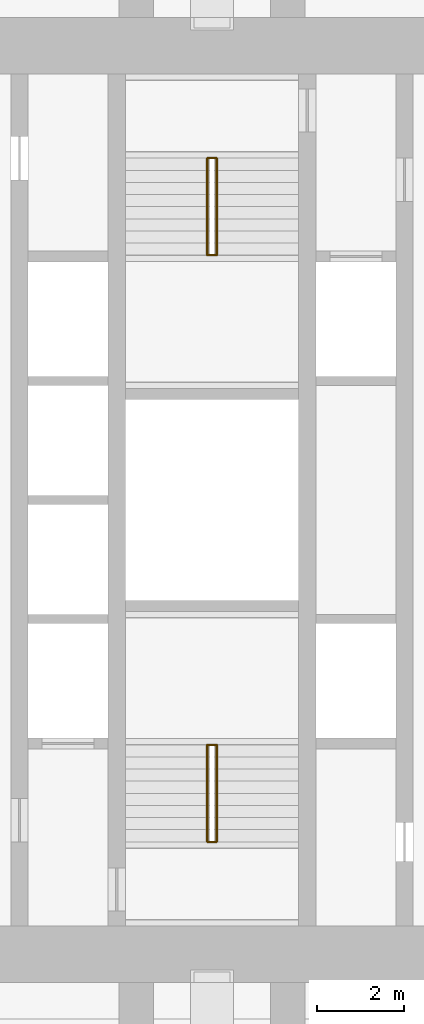
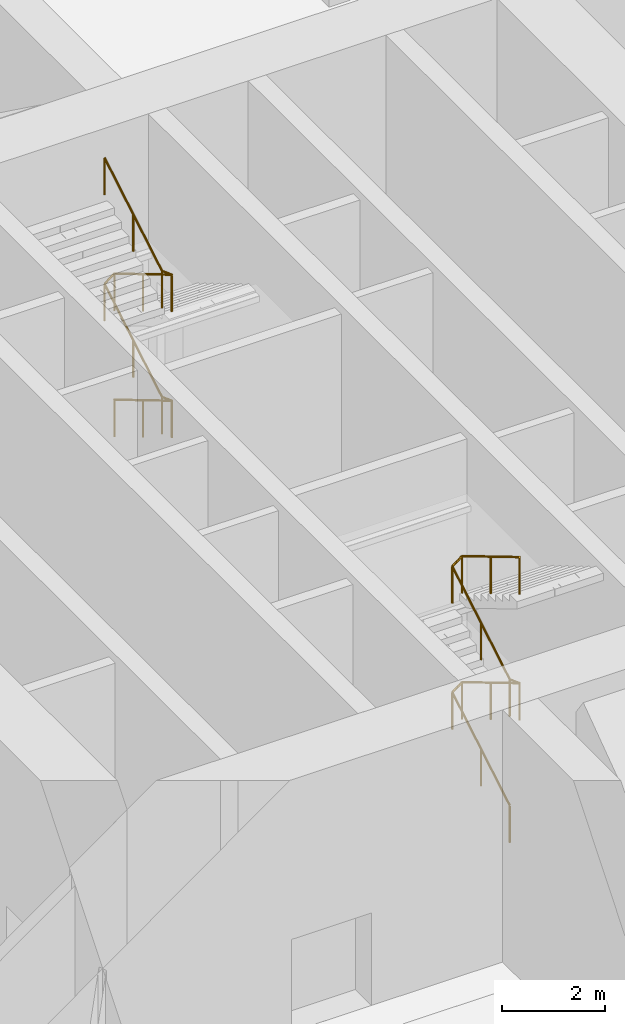
# One storey, part 20 of 20: 2 railings.
"""IFC4 building model written with IfcOpenShell, lengths in metres."""

import ifcopenshell
import ifcopenshell.guid

model = None  # the IFC model being written
_history = None  # IfcOwnerHistory: only IFC2X3 demands one
_inside = {}  # id of a spatial element -> (the spatial element, [elements in it])
_under = {}  # id of a project, library or spatial element -> (it, [spatial elements below it])
_declared = {}  # id of a project -> (the project, [libraries it declares])
_typed = {}  # id of a type object -> (the type object, [elements of that type])
_made_of = {}  # id of a material, layer set ... -> (it, [elements and type objects made of it])


def new_model(schema):
    """Start an empty IFC model of exactly this schema.

    Asked for "IFC4X3", IfcOpenShell would pick the latest addendum, in which some entities
    have other attributes; the version numbers below select the first issue.
    IFC2X3 requires an IfcOwnerHistory on every rooted entity: one is made here for all.
    """
    global model, _history
    if schema == "IFC4X3":
        model = ifcopenshell.file(schema_version=(4, 3, 0, 0))
    else:
        model = ifcopenshell.file(schema=schema)
    _inside.clear()
    _under.clear()
    _declared.clear()
    _typed.clear()
    _made_of.clear()
    _history = None
    if model.schema == "IFC2X3":
        org = make("IfcOrganization", Name="unknown")
        user = make(
            "IfcPersonAndOrganization",
            ThePerson=make("IfcPerson", FamilyName="unknown"),
            TheOrganization=org,
        )
        app = make(
            "IfcApplication",
            ApplicationDeveloper=org,
            Version="unknown",
            ApplicationFullName="unknown",
            ApplicationIdentifier="unknown",
        )
        _history = make(
            "IfcOwnerHistory",
            OwningUser=user,
            OwningApplication=app,
            ChangeAction="ADDED",
            CreationDate=0,
        )
    return model


def make(cls, **values):
    """One entity of the class cls with the attributes given. An attribute that is None is left unset."""
    return model.create_entity(
        cls, **{name: value for name, value in values.items() if value is not None}
    )


def rooted(cls, **values):
    """An entity with a GlobalId (a new one), such as an element, a storey or a relation."""
    return make(cls, GlobalId=ifcopenshell.guid.new(), OwnerHistory=_history, **values)


def si_unit(unit_type, name, prefix=None):
    """IfcSIUnit, for example si_unit("LENGTHUNIT", "METRE", prefix="MILLI")."""
    return make("IfcSIUnit", UnitType=unit_type, Prefix=prefix, Name=name)


def assignment(units):
    """IfcUnitAssignment: the units of a project."""
    return None if units is None else make("IfcUnitAssignment", Units=units)


def point(xyz):
    """IfcCartesianPoint."""
    return None if xyz is None else make("IfcCartesianPoint", Coordinates=xyz)


def direction(xyz):
    """IfcDirection."""
    return None if xyz is None else make("IfcDirection", DirectionRatios=xyz)


def frame(location, z_axis=None, x_axis=None):
    """IfcAxis2Placement3D, a coordinate frame: its origin and axes. An axis left out is left unset."""
    return make(
        "IfcAxis2Placement3D",
        Location=point(location),
        Axis=direction(z_axis),
        RefDirection=direction(x_axis),
    )


def frame_2d(location, x_axis=None):
    """IfcAxis2Placement2D, a coordinate frame in the plane: its origin and x axis."""
    return make(
        "IfcAxis2Placement2D", Location=point(location), RefDirection=direction(x_axis)
    )


def origin():
    """The frame at (0, 0, 0) with its axes left unset."""
    return frame((0.0, 0.0, 0.0))


def origin_2d():
    """The frame at (0, 0) in the plane with its x axis left unset."""
    return frame_2d((0.0, 0.0))


def place(relative_to, where):
    """IfcLocalPlacement: puts the frame where relative to a parent placement (None: the world)."""
    return make(
        "IfcLocalPlacement", PlacementRelTo=relative_to, RelativePlacement=where
    )


def context(
    kind, dimensions, precision=None, world=None, true_north=None, identifier=None
):
    """IfcGeometricRepresentationContext, for example the 3D "Model" context."""
    return make(
        "IfcGeometricRepresentationContext",
        ContextIdentifier=identifier,
        ContextType=kind,
        CoordinateSpaceDimension=dimensions,
        Precision=precision,
        WorldCoordinateSystem=world,
        TrueNorth=true_north,
    )


def subcontext(parent, identifier, kind, view, scale=None):
    """IfcGeometricRepresentationSubContext, for example "Body" below "Model"."""
    return make(
        "IfcGeometricRepresentationSubContext",
        ContextIdentifier=identifier,
        ContextType=kind,
        ParentContext=parent,
        TargetScale=scale,
        TargetView=view,
    )


def project(units=None, contexts=None):
    """IfcProject with its units and contexts."""
    return rooted(
        "IfcProject",
        Name="project",
        RepresentationContexts=contexts,
        UnitsInContext=assignment(units),
    )


def spatial(cls, under=None, at=None, **own):
    """A site, building, storey or space (cls), placed at a placement, below another one or the project."""
    s = rooted(cls, ObjectPlacement=at, **own)
    if under is not None:
        _under.setdefault(under.id(), (under, []))[1].append(s)
    return s


def profile(cls, at=None, kind="AREA", **sizes):
    """A parametric profile (cls). Its sizes go by their IFC names, for example OverallWidth=200.0."""
    return make(cls, ProfileType=kind, Position=at, **sizes)


def circle(**sizes):
    """IfcCircleProfileDef."""
    return profile("IfcCircleProfileDef", **sizes)


def extrude(swept, where, along, depth):
    """IfcExtrudedAreaSolid: the profile swept, set in the frame where, extruded along a direction by depth."""
    return make(
        "IfcExtrudedAreaSolid",
        SweptArea=swept,
        Position=where,
        ExtrudedDirection=direction(along),
        Depth=depth,
    )


def shape(context_of_items, identifier, shape_type, items):
    """IfcShapeRepresentation: the items that make up one representation, for example the "Body"."""
    return make(
        "IfcShapeRepresentation",
        ContextOfItems=context_of_items,
        RepresentationIdentifier=identifier,
        RepresentationType=shape_type,
        Items=items,
    )


def material(Name=None, Category=None):
    """IfcMaterial."""
    return make("IfcMaterial", Name=Name, Category=Category)


def made_of(thing, what):
    """Note that an element or type object is made of a material, layer set ...; save() writes the relation."""
    if what is not None:
        _made_of.setdefault(what.id(), (what, []))[1].append(thing)
    return thing


def type_object(cls, material=None, **own):
    """A type object (cls), such as IfcWallType, which elements share."""
    return made_of(rooted(cls, **own), material)


def element(
    cls,
    number,
    at=None,
    inside=None,
    cuts=None,
    type_object=None,
    material=None,
    context=None,
    identifier="Body",
    shape_type=None,
    held_by="IfcProductDefinitionShape",
    body=None,
    shapes=None,
    **own,
):
    """One element of the class cls, such as IfcWall. Its Tag is "e" and its number.

    at: its placement. inside: the storey or other place that contains it. cuts: it is an
    opening in that element (IfcRelVoidsElement). A single representation is given by context,
    identifier, shape_type and body (its items); several are given by shapes. held_by: the class
    of the entity that holds the representations. save() writes the other relations.
    """
    e = rooted(cls, Tag="e%d" % number, ObjectPlacement=at, **own)
    if body is not None:
        shapes = [shape(context, identifier, shape_type, body)]
    if shapes is not None:
        e.Representation = make(held_by, Representations=shapes)
    if inside is not None:
        _inside.setdefault(inside.id(), (inside, []))[1].append(e)
    if cuts is not None:
        rooted(
            "IfcRelVoidsElement", RelatingBuildingElement=cuts, RelatedOpeningElement=e
        )
    if type_object is not None:
        _typed.setdefault(type_object.id(), (type_object, []))[1].append(e)
    return made_of(e, material)


def aggregate(whole, parts):
    """IfcRelAggregates: a whole, such as a stair, and the parts it consists of."""
    return rooted("IfcRelAggregates", RelatingObject=whole, RelatedObjects=parts)


def save(model, path):
    """Write the relations noted so far, then the file.

    IfcRelAggregates (storeys below a building ...), IfcRelContainedInSpatialStructure (elements
    in a storey), IfcRelDefinesByType, IfcRelAssociatesMaterial and IfcRelDeclares: one each for
    every whole, place, type object, material and project.
    """
    for whole, parts in _under.values():
        aggregate(whole, parts)
    for where, things in _inside.values():
        rooted(
            "IfcRelContainedInSpatialStructure",
            RelatedElements=things,
            RelatingStructure=where,
        )
    for kind, things in _typed.values():
        rooted("IfcRelDefinesByType", RelatedObjects=things, RelatingType=kind)
    for what, things in _made_of.values():
        rooted("IfcRelAssociatesMaterial", RelatedObjects=things, RelatingMaterial=what)
    for by, libraries in _declared.values():
        rooted("IfcRelDeclares", RelatingContext=by, RelatedDefinitions=libraries)
    model.write(path)


model = new_model("IFC4")

# Units and contexts
model_context = context("Model", 3, precision=1e-05, world=origin(), true_north=direction((0.0, 1.0)))
body_context = subcontext(model_context, "Body", "Model", "MODEL_VIEW")
ifc_project = project(units=[si_unit("LENGTHUNIT", "METRE"), si_unit("AREAUNIT", "SQUARE_METRE"), si_unit("VOLUMEUNIT", "CUBIC_METRE"), si_unit("PLANEANGLEUNIT", "RADIAN"), si_unit("MASSUNIT", "GRAM", prefix="KILO")], contexts=[model_context])

# Site, building, storey
site_placement = place(None, origin())
site = spatial("IfcSite", under=ifc_project, at=site_placement, CompositionType="ELEMENT")
building_placement = place(site_placement, origin())
building = spatial("IfcBuilding", under=site, at=building_placement, Name="Mizan Broadcast Tower", CompositionType="ELEMENT")
storey_placement = place(building_placement, frame((0.0, 0.0, 118.199951171875)))
storey = spatial("IfcBuildingStorey", under=building, at=storey_placement, Name="L26", CompositionType="ELEMENT", Elevation=118.199951171875)

# Railings
ifc_material = material(Name="Stainless steel", Category="steel")
railing_type = type_object("IfcRailingType", Name="HANDRAIL 50", PredefinedType="HANDRAIL", material=ifc_material)
railing_1_placement = place(storey_placement, frame((-0.110107421875, -7.89990234375, 0.166748046875)))
element("IfcRailing", 1, at=railing_1_placement, inside=storey, type_object=railing_type, Name="Stair A handrail", PredefinedType="HANDRAIL", context=body_context, shape_type="SweptSolid", body=[
    extrude(circle(Radius=0.02392578125, at=origin_2d()), frame((0.0, 0.0, 0.8759765625), z_axis=(0.0, 0.859305625298, 0.511462454469), x_axis=(-1.0, 0.0, 0.0)), (0.0, 0.0, 1.0), 2.606689453125),
    extrude(circle(Radius=0.02392578125, at=origin_2d()), frame((0.0, 2.239990234375, 2.208984375), z_axis=(0.7972339343, 0.0, 0.60367048462), x_axis=(0.0, 1.0, 0.0)), (0.0, 0.0, 1.0), 0.276123046875),
    extrude(circle(Radius=0.02392578125, at=origin_2d()), frame((0.22021484375, 2.239990234375, 2.3759765625), z_axis=(0.0, -0.859305625298, 0.511462454469), x_axis=(1.0, 0.0, 0.0)), (0.0, 0.0, 1.0), 2.606689453125),
    extrude(circle(Radius=0.02392578125, at=origin_2d()), frame((0.22021484375, 0.0, 3.708984375), z_axis=(-0.7972339343, 0.0, 0.60367048462), x_axis=(0.0, -1.0, 0.0)), (0.0, 0.0, 1.0), 0.276123046875),
    extrude(circle(Radius=0.02392578125, at=origin_2d()), frame((0.0, 0.0, 3.8759765625), z_axis=(0.0, 0.859305625298, 0.511462454469), x_axis=(-1.0, 0.0, 0.0)), (0.0, 0.0, 1.0), 2.606689453125),
    extrude(circle(Radius=0.02392578125, at=origin_2d()), frame((0.0, 2.239990234375, 5.208984375), z_axis=(0.7972339343, 0.0, 0.60367048462), x_axis=(0.0, 1.0, 0.0)), (0.0, 0.0, 1.0), 0.276123046875),
    extrude(circle(Radius=0.02392578125, at=origin_2d()), frame((0.22021484375, 2.239990234375, 5.3759765625), z_axis=(0.0, -0.859305625298, 0.511462454469), x_axis=(1.0, 0.0, 0.0)), (0.0, 0.0, 1.0), 2.606689453125),
    extrude(circle(Radius=0.02099609375, at=origin_2d()), origin(), (0.0, 0.0, 1.0), 0.851806640625),
    extrude(circle(Radius=0.02099609375, at=origin_2d()), frame((0.0, 1.1201171875, 0.66650390625)), (0.0, 0.0, 1.0), 0.851806640625),
    extrude(circle(Radius=0.02099609375, at=origin_2d()), frame((0.0, 2.239990234375, 1.333251953125)), (0.0, 0.0, 1.0), 0.851806640625),
    extrude(circle(Radius=0.02099609375, at=origin_2d()), frame((0.22021484375, 2.239990234375, 1.5)), (0.0, 0.0, 1.0), 0.851806640625),
    extrude(circle(Radius=0.02099609375, at=origin_2d()), frame((0.22021484375, 1.1201171875, 2.16650390625)), (0.0, 0.0, 1.0), 0.851806640625),
    extrude(circle(Radius=0.02099609375, at=origin_2d()), frame((0.22021484375, 0.0, 2.833251953125)), (0.0, 0.0, 1.0), 0.851806640625),
    extrude(circle(Radius=0.02099609375, at=origin_2d()), frame((0.0, 0.0, 3.0)), (0.0, 0.0, 1.0), 0.851806640625),
    extrude(circle(Radius=0.02099609375, at=origin_2d()), frame((0.0, 1.1201171875, 3.66650390625)), (0.0, 0.0, 1.0), 0.851806640625),
    extrude(circle(Radius=0.02099609375, at=origin_2d()), frame((0.0, 2.239990234375, 4.333251953125)), (0.0, 0.0, 1.0), 0.851806640625),
    extrude(circle(Radius=0.02099609375, at=origin_2d()), frame((0.22021484375, 2.239990234375, 4.5)), (0.0, 0.0, 1.0), 0.851806640625),
    extrude(circle(Radius=0.02099609375, at=origin_2d()), frame((0.22021484375, 1.1201171875, 5.16650390625)), (0.0, 0.0, 1.0), 0.851806640625),
    extrude(circle(Radius=0.02099609375, at=origin_2d()), frame((0.22021484375, 0.0, 5.833251953125)), (0.0, 0.0, 1.0), 0.851806640625),
])
railing_2_placement = place(storey_placement, frame((0.110107421875, 7.89990234375, 0.166748046875)))
element("IfcRailing", 2, at=railing_2_placement, inside=storey, type_object=railing_type, Name="Stair B handrail", PredefinedType="HANDRAIL", context=body_context, shape_type="SweptSolid", body=[
    extrude(circle(Radius=0.02392578125, at=origin_2d()), frame((0.0, 0.0, 0.8759765625), z_axis=(0.0, -0.859305625298, 0.511462454469), x_axis=(1.0, 0.0, 0.0)), (0.0, 0.0, 1.0), 2.606689453125),
    extrude(circle(Radius=0.02392578125, at=origin_2d()), frame((0.0, -2.239990234375, 2.208984375), z_axis=(-0.7972339343, 0.0, 0.60367048462), x_axis=(0.0, -1.0, 0.0)), (0.0, 0.0, 1.0), 0.276123046875),
    extrude(circle(Radius=0.02392578125, at=origin_2d()), frame((-0.22021484375, -2.239990234375, 2.3759765625), z_axis=(0.0, 0.859305625298, 0.511462454469), x_axis=(-1.0, 0.0, 0.0)), (0.0, 0.0, 1.0), 2.606689453125),
    extrude(circle(Radius=0.02392578125, at=origin_2d()), frame((-0.22021484375, 0.0, 3.708984375), z_axis=(0.7972339343, 0.0, 0.60367048462), x_axis=(0.0, 1.0, 0.0)), (0.0, 0.0, 1.0), 0.276123046875),
    extrude(circle(Radius=0.02392578125, at=origin_2d()), frame((0.0, 0.0, 3.8759765625), z_axis=(0.0, -0.859305625298, 0.511462454469), x_axis=(1.0, 0.0, 0.0)), (0.0, 0.0, 1.0), 2.606689453125),
    extrude(circle(Radius=0.02392578125, at=origin_2d()), frame((0.0, -2.239990234375, 5.208984375), z_axis=(-0.7972339343, 0.0, 0.60367048462), x_axis=(0.0, -1.0, 0.0)), (0.0, 0.0, 1.0), 0.276123046875),
    extrude(circle(Radius=0.02392578125, at=origin_2d()), frame((-0.22021484375, -2.239990234375, 5.3759765625), z_axis=(0.0, 0.859305625298, 0.511462454469), x_axis=(-1.0, 0.0, 0.0)), (0.0, 0.0, 1.0), 2.606689453125),
    extrude(circle(Radius=0.02099609375, at=origin_2d()), origin(), (0.0, 0.0, 1.0), 0.851806640625),
    extrude(circle(Radius=0.02099609375, at=origin_2d()), frame((0.0, -1.1201171875, 0.66650390625)), (0.0, 0.0, 1.0), 0.851806640625),
    extrude(circle(Radius=0.02099609375, at=origin_2d()), frame((0.0, -2.239990234375, 1.333251953125)), (0.0, 0.0, 1.0), 0.851806640625),
    extrude(circle(Radius=0.02099609375, at=origin_2d()), frame((-0.22021484375, -2.239990234375, 1.5)), (0.0, 0.0, 1.0), 0.851806640625),
    extrude(circle(Radius=0.02099609375, at=origin_2d()), frame((-0.22021484375, -1.1201171875, 2.16650390625)), (0.0, 0.0, 1.0), 0.851806640625),
    extrude(circle(Radius=0.02099609375, at=origin_2d()), frame((-0.22021484375, 0.0, 2.833251953125)), (0.0, 0.0, 1.0), 0.851806640625),
    extrude(circle(Radius=0.02099609375, at=origin_2d()), frame((0.0, 0.0, 3.0)), (0.0, 0.0, 1.0), 0.851806640625),
    extrude(circle(Radius=0.02099609375, at=origin_2d()), frame((0.0, -1.1201171875, 3.66650390625)), (0.0, 0.0, 1.0), 0.851806640625),
    extrude(circle(Radius=0.02099609375, at=origin_2d()), frame((0.0, -2.239990234375, 4.333251953125)), (0.0, 0.0, 1.0), 0.851806640625),
    extrude(circle(Radius=0.02099609375, at=origin_2d()), frame((-0.22021484375, -2.239990234375, 4.5)), (0.0, 0.0, 1.0), 0.851806640625),
    extrude(circle(Radius=0.02099609375, at=origin_2d()), frame((-0.22021484375, -1.1201171875, 5.16650390625)), (0.0, 0.0, 1.0), 0.851806640625),
    extrude(circle(Radius=0.02099609375, at=origin_2d()), frame((-0.22021484375, 0.0, 5.833251953125)), (0.0, 0.0, 1.0), 0.851806640625),
])

save(model, "model.ifc")
